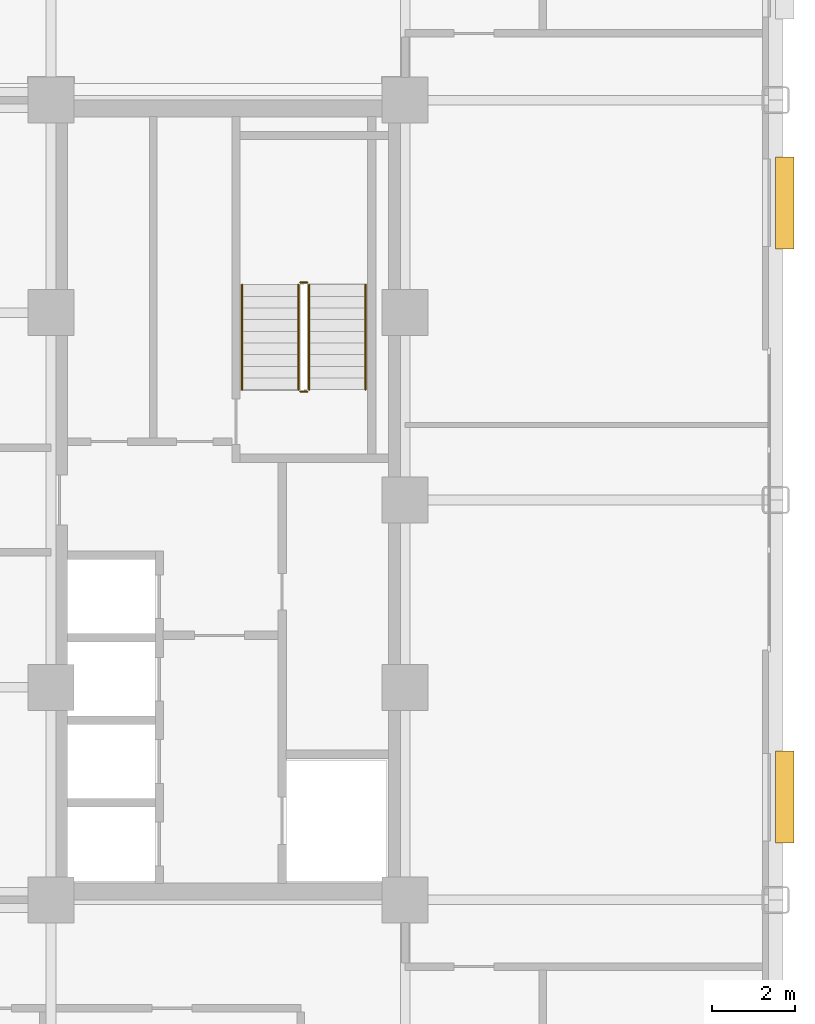
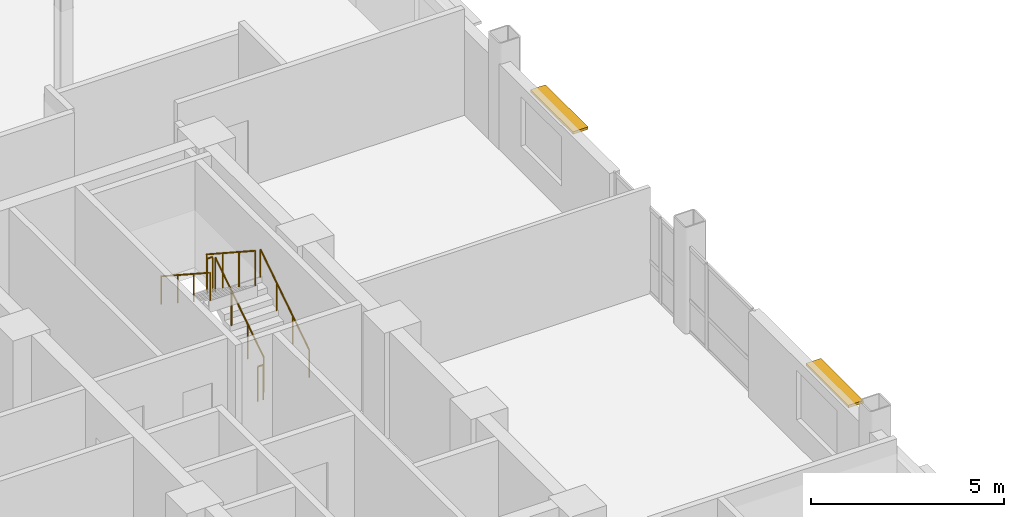
# One storey, part 16 of 17: 6 railings, 2 shading devices.
"""IFC4 building model written with IfcOpenShell, lengths in metres."""

from ifc_helpers import new_model, si_unit, direction, frame, origin, origin_2d, place, context, subcontext, project, spatial, rectangle, circle, extrude, source, transform, mapped, material, type_object, type_shapes, element, save


model = new_model("IFC4")

# Units and contexts
model_context = context("Model", 3, precision=1e-05, world=origin(), true_north=direction((0.0, 1.0)))
body_context = subcontext(model_context, "Body", "Model", "MODEL_VIEW")
ifc_project = project(units=[si_unit("LENGTHUNIT", "METRE"), si_unit("AREAUNIT", "SQUARE_METRE"), si_unit("VOLUMEUNIT", "CUBIC_METRE"), si_unit("PLANEANGLEUNIT", "RADIAN"), si_unit("MASSUNIT", "GRAM", prefix="KILO")], contexts=[model_context])

# Site, building, storey
site_placement = place(None, origin())
site = spatial("IfcSite", under=ifc_project, at=site_placement, CompositionType="ELEMENT")
building_placement = place(site_placement, origin())
building = spatial("IfcBuilding", under=site, at=building_placement, Name="Nuvemarco Arch Tower", CompositionType="ELEMENT")
storey_placement = place(building_placement, frame((0.0, 0.0, 120.199951171875)))
storey = spatial("IfcBuildingStorey", under=building, at=storey_placement, Name="L31", CompositionType="ELEMENT", Elevation=120.199951171875)

# Railings
ifc_material_1 = material(Name="Brushed stainless steel handrail", Category="steel")
railing_type_1 = type_object("IfcRailingType", Name="RL-HANDRAIL-900", PredefinedType="HANDRAIL", material=ifc_material_1)
railing_1_placement = place(storey_placement, frame((16.550048828125, 2.64990234375, 0.1826171875)))
element("IfcRailing", 1, at=railing_1_placement, inside=storey, type_object=railing_type_1, Name="L31 ST-2 stair handrail 1", PredefinedType="HANDRAIL", context=body_context, shape_type="SweptSolid", body=[
    extrude(circle(Radius=0.02392578125, at=origin_2d()), frame((0.0, 0.0, 0.8759765625), z_axis=(0.0, 0.837786554691, 0.545997883492), x_axis=(-1.0, 0.0, 0.0)), (0.0, 0.0, 1.0), 3.008056640625),
    extrude(circle(Radius=0.02099609375, at=origin_2d()), origin(), (0.0, 0.0, 1.0), 0.851806640625),
    extrude(circle(Radius=0.02099609375, at=origin_2d()), frame((0.0, 0.840087890625, 0.54736328125)), (0.0, 0.0, 1.0), 0.851806640625),
    extrude(circle(Radius=0.02099609375, at=origin_2d()), frame((0.0, 1.679931640625, 1.094970703125)), (0.0, 0.0, 1.0), 0.851806640625),
    extrude(circle(Radius=0.02099609375, at=origin_2d()), frame((0.0, 2.52001953125, 1.642333984375)), (0.0, 0.0, 1.0), 0.851806640625),
])
railing_2_placement = place(storey_placement, frame((13.590087890625, 5.169921875, 2.007568359375)))
element("IfcRailing", 2, at=railing_2_placement, inside=storey, type_object=railing_type_1, Name="L31 ST-2 stair handrail 2", PredefinedType="HANDRAIL", context=body_context, shape_type="SweptSolid", body=[
    extrude(circle(Radius=0.02392578125, at=origin_2d()), frame((0.0, 0.0, 0.8759765625), z_axis=(0.0, -0.837749427056, 0.546054848405), x_axis=(1.0, 0.0, 0.0)), (0.0, 0.0, 1.0), 3.008056640625),
    extrude(circle(Radius=0.02099609375, at=origin_2d()), origin(), (0.0, 0.0, 1.0), 0.851806640625),
    extrude(circle(Radius=0.02099609375, at=origin_2d()), frame((0.0, -0.840087890625, 0.547607421875)), (0.0, 0.0, 1.0), 0.851806640625),
    extrude(circle(Radius=0.02099609375, at=origin_2d()), frame((0.0, -1.679931640625, 1.094970703125)), (0.0, 0.0, 1.0), 0.851806640625),
    extrude(circle(Radius=0.02099609375, at=origin_2d()), frame((0.0, -2.52001953125, 1.642578125)), (0.0, 0.0, 1.0), 0.851806640625),
])
ifc_material_2 = material(Name="Painted balustrade steel S355", Category="steel")
railing_type_2 = type_object("IfcRailingType", Name="RL-STAIR-GUARD", PredefinedType="GUARDRAIL", material=ifc_material_2)
railing_3_placement = place(storey_placement, frame((15.199951171875, 2.64990234375, 0.1826171875)))
element("IfcRailing", 3, at=railing_3_placement, inside=storey, type_object=railing_type_2, Name="L31 ST-2 stair guard 1", PredefinedType="GUARDRAIL", context=body_context, shape_type="SweptSolid", body=[
    extrude(circle(Radius=0.02392578125, at=origin_2d()), frame((0.0, 0.0, 1.09619140625), z_axis=(0.0, 0.837786554691, 0.545997883492), x_axis=(-1.0, 0.0, 0.0)), (0.0, 0.0, 1.0), 3.008056640625),
    extrude(circle(Radius=0.02099609375, at=origin_2d()), origin(), (0.0, 0.0, 1.0), 1.072021484375),
    extrude(circle(Radius=0.02099609375, at=origin_2d()), frame((0.0, 0.840087890625, 0.54736328125)), (0.0, 0.0, 1.0), 1.072021484375),
    extrude(circle(Radius=0.02099609375, at=origin_2d()), frame((0.0, 1.679931640625, 1.094970703125)), (0.0, 0.0, 1.0), 1.072021484375),
    extrude(circle(Radius=0.02099609375, at=origin_2d()), frame((0.0, 2.52001953125, 1.642333984375)), (0.0, 0.0, 1.0), 1.072021484375),
])
railing_4_placement = place(storey_placement, frame((15.14990234375, 5.219970703125, 1.824951171875)))
element("IfcRailing", 4, at=railing_4_placement, inside=storey, type_object=railing_type_2, Name="L31 ST-2 stair guard 2", PredefinedType="GUARDRAIL", context=body_context, shape_type="SweptSolid", body=[
    extrude(circle(Radius=0.02392578125, at=origin_2d()), frame((0.0, 0.0, 1.09619140625), z_axis=(-1.0, 0.0, 0.0), x_axis=(0.0, -1.0, 0.0)), (0.0, 0.0, 1.0), 0.159912109375),
    extrude(circle(Radius=0.02099609375, at=origin_2d()), origin(), (0.0, 0.0, 1.0), 1.072021484375),
    extrude(circle(Radius=0.02099609375, at=origin_2d()), frame((-0.159912109375, 0.0, 0.0)), (0.0, 0.0, 1.0), 1.072021484375),
])
railing_5_placement = place(storey_placement, frame((14.93994140625, 5.169921875, 2.007568359375)))
element("IfcRailing", 5, at=railing_5_placement, inside=storey, type_object=railing_type_2, Name="L31 ST-2 stair guard 3", PredefinedType="GUARDRAIL", context=body_context, shape_type="SweptSolid", body=[
    extrude(circle(Radius=0.02392578125, at=origin_2d()), frame((0.0, 0.0, 1.09619140625), z_axis=(0.0, -0.837749427056, 0.546054848405), x_axis=(1.0, 0.0, 0.0)), (0.0, 0.0, 1.0), 3.008056640625),
    extrude(circle(Radius=0.02099609375, at=origin_2d()), origin(), (0.0, 0.0, 1.0), 1.072021484375),
    extrude(circle(Radius=0.02099609375, at=origin_2d()), frame((0.0, -0.840087890625, 0.547607421875)), (0.0, 0.0, 1.0), 1.072021484375),
    extrude(circle(Radius=0.02099609375, at=origin_2d()), frame((0.0, -1.679931640625, 1.094970703125)), (0.0, 0.0, 1.0), 1.072021484375),
    extrude(circle(Radius=0.02099609375, at=origin_2d()), frame((0.0, -2.52001953125, 1.642578125)), (0.0, 0.0, 1.0), 1.072021484375),
])
railing_6_placement = place(storey_placement, frame((15.14990234375, 2.60009765625, 0.0)))
element("IfcRailing", 6, at=railing_6_placement, inside=storey, type_object=railing_type_2, Name="L31 ST-2 stair guard 4", PredefinedType="GUARDRAIL", context=body_context, shape_type="SweptSolid", body=[
    extrude(circle(Radius=0.02392578125, at=origin_2d()), frame((0.0, 0.0, 1.09619140625), z_axis=(-1.0, 0.0, 0.0), x_axis=(0.0, -1.0, 0.0)), (0.0, 0.0, 1.0), 0.159912109375),
    extrude(circle(Radius=0.02099609375, at=origin_2d()), origin(), (0.0, 0.0, 1.0), 1.072021484375),
    extrude(circle(Radius=0.02099609375, at=origin_2d()), frame((-0.159912109375, 0.0, 0.0)), (0.0, 0.0, 1.0), 1.072021484375),
])

# Shading devices
ifc_material_3 = material(Name="Anodised aluminium 6063-T6", Category="aluminium")
shading_device_type = type_object("IfcShadingDeviceType", Name="SHD-BRISE-SOLEIL", PredefinedType="USERDEFINED", material=ifc_material_3)
shared_shape = source(origin(), body_context, "Body", "SweptSolid", [
    extrude(rectangle(XDim=2.199951171875, YDim=0.449951171875, at=origin_2d()), origin(), (0.0, 0.0, 1.0), 0.080078125),
])
type_shapes(shading_device_type, [shared_shape])
for number, where, z_axis, x_axis, name in (
    (7, (26.614990234375, -7.130615234375, 2.364990234375), (0.0, 0.0, 1.0), (0.0, 1.0, 0.0), "L31 horizontal brise-soleil sunshade"),
    (8, (26.614990234375, 7.130615234375, 2.364990234375), (0.0, 0.0, 1.0), (0.0, 1.0, 0.0), "L31 horizontal brise-soleil sunshade"),
):
    element("IfcShadingDevice", number, at=place(storey_placement, frame(where, z_axis=z_axis, x_axis=x_axis)), inside=storey, type_object=shading_device_type, Name=name, ObjectType="SUNSHADE", PredefinedType="USERDEFINED", context=body_context, shape_type="MappedRepresentation", body=[
        mapped(shared_shape, transform((0.0, 0.0, 0.0), scale=1.0)),
    ])

save(model, "model.ifc")
